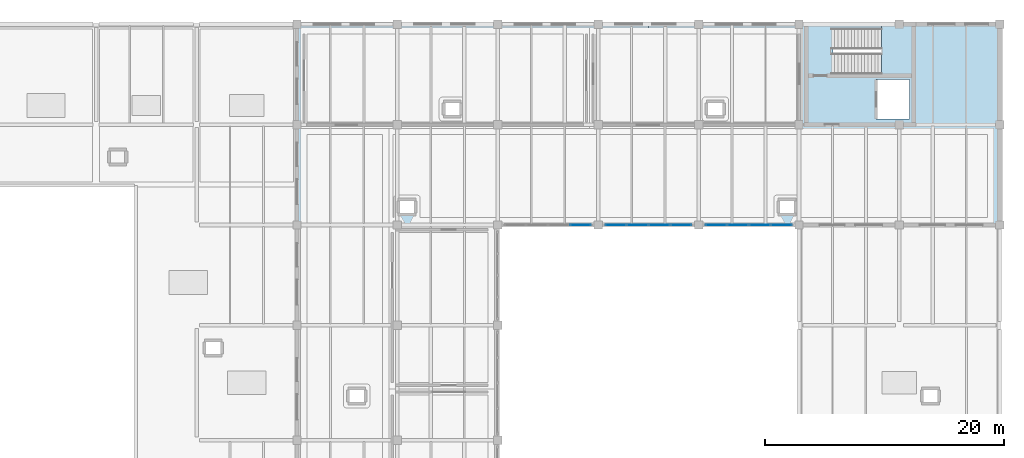
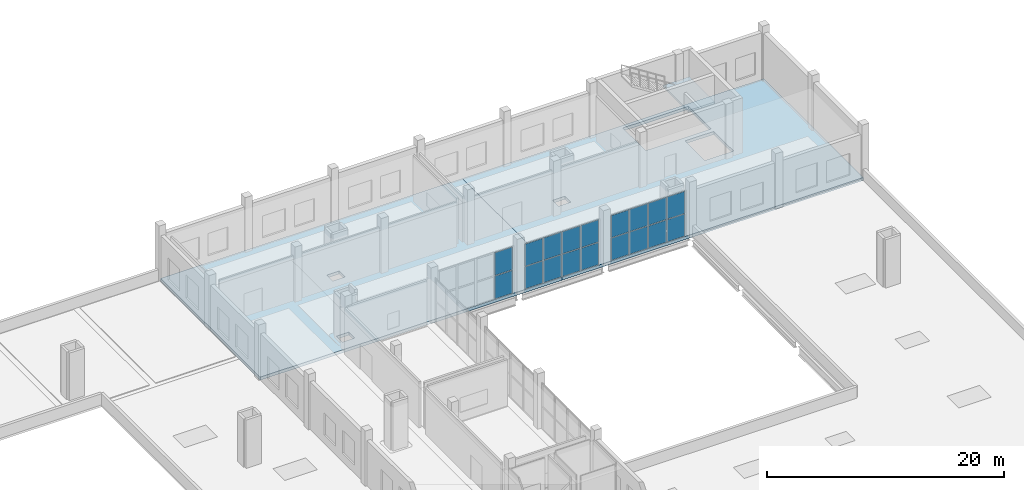
# One storey, part 33 of 49: 18 plates, 3 slabs, 4 elements without a shape of their own.
"""IFC4 building model written with IfcOpenShell, lengths in metres."""

import ifcopenshell
import ifcopenshell.guid

model = None  # the IFC model being written
_history = None  # IfcOwnerHistory: only IFC2X3 demands one
_inside = {}  # id of a spatial element -> (the spatial element, [elements in it])
_under = {}  # id of a project, library or spatial element -> (it, [spatial elements below it])
_declared = {}  # id of a project -> (the project, [libraries it declares])
_typed = {}  # id of a type object -> (the type object, [elements of that type])
_made_of = {}  # id of a material, layer set ... -> (it, [elements and type objects made of it])


def new_model(schema):
    """Start an empty IFC model of exactly this schema.

    Asked for "IFC4X3", IfcOpenShell would pick the latest addendum, in which some entities
    have other attributes; the version numbers below select the first issue.
    IFC2X3 requires an IfcOwnerHistory on every rooted entity: one is made here for all.
    """
    global model, _history
    if schema == "IFC4X3":
        model = ifcopenshell.file(schema_version=(4, 3, 0, 0))
    else:
        model = ifcopenshell.file(schema=schema)
    _inside.clear()
    _under.clear()
    _declared.clear()
    _typed.clear()
    _made_of.clear()
    _history = None
    if model.schema == "IFC2X3":
        org = make("IfcOrganization", Name="unknown")
        user = make(
            "IfcPersonAndOrganization",
            ThePerson=make("IfcPerson", FamilyName="unknown"),
            TheOrganization=org,
        )
        app = make(
            "IfcApplication",
            ApplicationDeveloper=org,
            Version="unknown",
            ApplicationFullName="unknown",
            ApplicationIdentifier="unknown",
        )
        _history = make(
            "IfcOwnerHistory",
            OwningUser=user,
            OwningApplication=app,
            ChangeAction="ADDED",
            CreationDate=0,
        )
    return model


def make(cls, **values):
    """One entity of the class cls with the attributes given. An attribute that is None is left unset."""
    return model.create_entity(
        cls, **{name: value for name, value in values.items() if value is not None}
    )


def rooted(cls, **values):
    """An entity with a GlobalId (a new one), such as an element, a storey or a relation."""
    return make(cls, GlobalId=ifcopenshell.guid.new(), OwnerHistory=_history, **values)


def si_unit(unit_type, name, prefix=None):
    """IfcSIUnit, for example si_unit("LENGTHUNIT", "METRE", prefix="MILLI")."""
    return make("IfcSIUnit", UnitType=unit_type, Prefix=prefix, Name=name)


def assignment(units):
    """IfcUnitAssignment: the units of a project."""
    return None if units is None else make("IfcUnitAssignment", Units=units)


def point(xyz):
    """IfcCartesianPoint."""
    return None if xyz is None else make("IfcCartesianPoint", Coordinates=xyz)


def direction(xyz):
    """IfcDirection."""
    return None if xyz is None else make("IfcDirection", DirectionRatios=xyz)


def frame(location, z_axis=None, x_axis=None):
    """IfcAxis2Placement3D, a coordinate frame: its origin and axes. An axis left out is left unset."""
    return make(
        "IfcAxis2Placement3D",
        Location=point(location),
        Axis=direction(z_axis),
        RefDirection=direction(x_axis),
    )


def frame_2d(location, x_axis=None):
    """IfcAxis2Placement2D, a coordinate frame in the plane: its origin and x axis."""
    return make(
        "IfcAxis2Placement2D", Location=point(location), RefDirection=direction(x_axis)
    )


def origin():
    """The frame at (0, 0, 0) with its axes left unset."""
    return frame((0.0, 0.0, 0.0))


def origin_2d():
    """The frame at (0, 0) in the plane with its x axis left unset."""
    return frame_2d((0.0, 0.0))


def place(relative_to, where):
    """IfcLocalPlacement: puts the frame where relative to a parent placement (None: the world)."""
    return make(
        "IfcLocalPlacement", PlacementRelTo=relative_to, RelativePlacement=where
    )


def context(
    kind, dimensions, precision=None, world=None, true_north=None, identifier=None
):
    """IfcGeometricRepresentationContext, for example the 3D "Model" context."""
    return make(
        "IfcGeometricRepresentationContext",
        ContextIdentifier=identifier,
        ContextType=kind,
        CoordinateSpaceDimension=dimensions,
        Precision=precision,
        WorldCoordinateSystem=world,
        TrueNorth=true_north,
    )


def subcontext(parent, identifier, kind, view, scale=None):
    """IfcGeometricRepresentationSubContext, for example "Body" below "Model"."""
    return make(
        "IfcGeometricRepresentationSubContext",
        ContextIdentifier=identifier,
        ContextType=kind,
        ParentContext=parent,
        TargetScale=scale,
        TargetView=view,
    )


def project(units=None, contexts=None):
    """IfcProject with its units and contexts."""
    return rooted(
        "IfcProject",
        Name="project",
        RepresentationContexts=contexts,
        UnitsInContext=assignment(units),
    )


def spatial(cls, under=None, at=None, **own):
    """A site, building, storey or space (cls), placed at a placement, below another one or the project."""
    s = rooted(cls, ObjectPlacement=at, **own)
    if under is not None:
        _under.setdefault(under.id(), (under, []))[1].append(s)
    return s


def polyline(points):
    """IfcPolyline through the points."""
    return make("IfcPolyline", Points=[point(p) for p in points])


def profile(cls, at=None, kind="AREA", **sizes):
    """A parametric profile (cls). Its sizes go by their IFC names, for example OverallWidth=200.0."""
    return make(cls, ProfileType=kind, Position=at, **sizes)


def rectangle(**sizes):
    """IfcRectangleProfileDef."""
    return profile("IfcRectangleProfileDef", **sizes)


def outline(outer, holes=None, kind="AREA"):
    """IfcArbitraryClosedProfileDef: a profile drawn as a closed curve; with holes, ...WithVoids."""
    if holes is None:
        return make("IfcArbitraryClosedProfileDef", ProfileType=kind, OuterCurve=outer)
    return make(
        "IfcArbitraryProfileDefWithVoids",
        ProfileType=kind,
        OuterCurve=outer,
        InnerCurves=holes,
    )


def extrude(swept, where, along, depth):
    """IfcExtrudedAreaSolid: the profile swept, set in the frame where, extruded along a direction by depth."""
    return make(
        "IfcExtrudedAreaSolid",
        SweptArea=swept,
        Position=where,
        ExtrudedDirection=direction(along),
        Depth=depth,
    )


def shape(context_of_items, identifier, shape_type, items):
    """IfcShapeRepresentation: the items that make up one representation, for example the "Body"."""
    return make(
        "IfcShapeRepresentation",
        ContextOfItems=context_of_items,
        RepresentationIdentifier=identifier,
        RepresentationType=shape_type,
        Items=items,
    )


def material(Name=None, Category=None):
    """IfcMaterial."""
    return make("IfcMaterial", Name=Name, Category=Category)


def layer(
    of_material, thickness, ventilated=None, Name=None, Category=None, Priority=None
):
    """IfcMaterialLayer: one layer of a wall or slab, of a material (None: an air gap)."""
    return make(
        "IfcMaterialLayer",
        Material=of_material,
        LayerThickness=thickness,
        IsVentilated=ventilated,
        Name=Name,
        Category=Category,
        Priority=Priority,
    )


def layer_set(layers, Name=None):
    """IfcMaterialLayerSet."""
    return make("IfcMaterialLayerSet", MaterialLayers=layers, LayerSetName=Name)


def made_of(thing, what):
    """Note that an element or type object is made of a material, layer set ...; save() writes the relation."""
    if what is not None:
        _made_of.setdefault(what.id(), (what, []))[1].append(thing)
    return thing


def type_object(cls, material=None, **own):
    """A type object (cls), such as IfcWallType, which elements share."""
    return made_of(rooted(cls, **own), material)


def element(
    cls,
    number,
    at=None,
    inside=None,
    cuts=None,
    type_object=None,
    material=None,
    context=None,
    identifier="Body",
    shape_type=None,
    held_by="IfcProductDefinitionShape",
    body=None,
    shapes=None,
    **own,
):
    """One element of the class cls, such as IfcWall. Its Tag is "e" and its number.

    at: its placement. inside: the storey or other place that contains it. cuts: it is an
    opening in that element (IfcRelVoidsElement). A single representation is given by context,
    identifier, shape_type and body (its items); several are given by shapes. held_by: the class
    of the entity that holds the representations. save() writes the other relations.
    """
    e = rooted(cls, Tag="e%d" % number, ObjectPlacement=at, **own)
    if body is not None:
        shapes = [shape(context, identifier, shape_type, body)]
    if shapes is not None:
        e.Representation = make(held_by, Representations=shapes)
    if inside is not None:
        _inside.setdefault(inside.id(), (inside, []))[1].append(e)
    if cuts is not None:
        rooted(
            "IfcRelVoidsElement", RelatingBuildingElement=cuts, RelatedOpeningElement=e
        )
    if type_object is not None:
        _typed.setdefault(type_object.id(), (type_object, []))[1].append(e)
    return made_of(e, material)


def aggregate(whole, parts):
    """IfcRelAggregates: a whole, such as a stair, and the parts it consists of."""
    return rooted("IfcRelAggregates", RelatingObject=whole, RelatedObjects=parts)


def save(model, path):
    """Write the relations noted so far, then the file.

    IfcRelAggregates (storeys below a building ...), IfcRelContainedInSpatialStructure (elements
    in a storey), IfcRelDefinesByType, IfcRelAssociatesMaterial and IfcRelDeclares: one each for
    every whole, place, type object, material and project.
    """
    for whole, parts in _under.values():
        aggregate(whole, parts)
    for where, things in _inside.values():
        rooted(
            "IfcRelContainedInSpatialStructure",
            RelatedElements=things,
            RelatingStructure=where,
        )
    for kind, things in _typed.values():
        rooted("IfcRelDefinesByType", RelatedObjects=things, RelatingType=kind)
    for what, things in _made_of.values():
        rooted("IfcRelAssociatesMaterial", RelatedObjects=things, RelatingMaterial=what)
    for by, libraries in _declared.values():
        rooted("IfcRelDeclares", RelatingContext=by, RelatedDefinitions=libraries)
    model.write(path)


model = new_model("IFC4")

# Units and contexts
model_context = context("Model", 3, precision=1e-05, world=origin(), true_north=direction((0.0, 1.0)))
body_context = subcontext(model_context, "Body", "Model", "MODEL_VIEW")
ifc_project = project(units=[si_unit("LENGTHUNIT", "METRE"), si_unit("AREAUNIT", "SQUARE_METRE"), si_unit("VOLUMEUNIT", "CUBIC_METRE"), si_unit("PLANEANGLEUNIT", "RADIAN"), si_unit("MASSUNIT", "GRAM", prefix="KILO")], contexts=[model_context])

# Site, building, storey
site_placement = place(None, origin())
site = spatial("IfcSite", under=ifc_project, at=site_placement, CompositionType="ELEMENT")
building_placement = place(site_placement, origin())
building = spatial("IfcBuilding", under=site, at=building_placement, Name="Zulmaris Art Gallery", CompositionType="ELEMENT")
storey_placement = place(building_placement, frame((0.0, 0.0, 20.699951171875)))
storey = spatial("IfcBuildingStorey", under=building, at=storey_placement, Name="L04", CompositionType="ELEMENT", Elevation=20.699951171875)

# Curtain wall, plates
ifc_material_1 = material(Name="Courtyard Artists Studio Curtain Wall", Category="aluminium")
ifc_layer_1 = layer(ifc_material_1, 0.179931640625)
ifc_layer_set_1 = layer_set([ifc_layer_1], Name="Courtyard Artists Studio Curtain Wall")
curtain_wall_type = type_object("IfcCurtainWallType", Name="CW-CW04", PredefinedType="NOTDEFINED", material=ifc_layer_set_1)
curtain_wall_1_placement = place(storey_placement, origin())
curtain_wall_1 = element("IfcCurtainWall", 1, at=curtain_wall_1_placement, inside=storey, type_object=curtain_wall_type, Name="L04 curtain wall 162", PredefinedType="NOTDEFINED")
ifc_material_2 = material(Name="Triple Solar-Control Laminated Glass", Category="glass")
ifc_layer_2 = layer(ifc_material_2, 0.035888671875)
ifc_layer_set_2 = layer_set([ifc_layer_2], Name="Triple Solar-Control Laminated Glass")
plate_type = type_object("IfcPlateType", Name="CWPAN-GLZ", PredefinedType="CURTAIN_PANEL", material=ifc_layer_set_2)
plate_1_placement = place(storey_placement, frame((165.326171875, 58.800048828125, 0.0751953125), z_axis=(0.0, 0.0, 1.0), x_axis=(-1.0, 0.0, 0.0)))
plate_1 = element("IfcPlate", 2, at=plate_1_placement, type_object=plate_type, Name="CW04 panel 1.1", PredefinedType="CURTAIN_PANEL", context=body_context, shape_type="SweptSolid", body=[
    extrude(rectangle(XDim=1.717529296875, YDim=0.031982421875, at=origin_2d()), origin(), (0.0, 0.0, 1.0), 2.33740234375),
])
plate_2_placement = place(storey_placement, frame((165.326171875, 58.800048828125, 2.487548828125), z_axis=(0.0, 0.0, 1.0), x_axis=(-1.0, 0.0, 0.0)))
plate_2 = element("IfcPlate", 3, at=plate_2_placement, type_object=plate_type, Name="CW04 panel 1.2", PredefinedType="CURTAIN_PANEL", context=body_context, shape_type="SweptSolid", body=[
    extrude(rectangle(XDim=1.717529296875, YDim=0.031982421875, at=origin_2d()), origin(), (0.0, 0.0, 1.0), 2.33740234375),
])
aggregate(curtain_wall_1, [plate_1, plate_2])

curtain_wall_2_placement = place(storey_placement, origin())
curtain_wall_2 = element("IfcCurtainWall", 4, at=curtain_wall_2_placement, inside=storey, type_object=curtain_wall_type, Name="L04 curtain wall 163", PredefinedType="NOTDEFINED")
plate_3_placement = place(storey_placement, frame((173.726318359375, 58.800048828125, 0.074951171875), z_axis=(0.0, 0.0, 1.0), x_axis=(-1.0, 0.0, 0.0)))
plate_3 = element("IfcPlate", 5, at=plate_3_placement, type_object=plate_type, Name="CW04 panel 1.1", PredefinedType="CURTAIN_PANEL", context=body_context, shape_type="SweptSolid", body=[
    extrude(rectangle(XDim=1.717529296875, YDim=0.031982421875, at=origin_2d()), origin(), (0.0, 0.0, 1.0), 2.267578125),
])
plate_4_placement = place(storey_placement, frame((173.726318359375, 58.800048828125, 2.41748046875), z_axis=(0.0, 0.0, 1.0), x_axis=(-1.0, 0.0, 0.0)))
plate_4 = element("IfcPlate", 6, at=plate_4_placement, type_object=plate_type, Name="CW04 panel 1.2", PredefinedType="CURTAIN_PANEL", context=body_context, shape_type="SweptSolid", body=[
    extrude(rectangle(XDim=1.717529296875, YDim=0.031982421875, at=origin_2d()), origin(), (0.0, 0.0, 1.0), 2.267578125),
])
plate_5_placement = place(storey_placement, frame((171.9150390625, 58.800048828125, 0.074951171875), z_axis=(0.0, 0.0, 1.0), x_axis=(-1.0, 0.0, 0.0)))
plate_5 = element("IfcPlate", 7, at=plate_5_placement, type_object=plate_type, Name="CW04 panel 2.1", PredefinedType="CURTAIN_PANEL", context=body_context, shape_type="SweptSolid", body=[
    extrude(rectangle(XDim=1.7548828125, YDim=0.031982421875, at=origin_2d()), origin(), (0.0, 0.0, 1.0), 2.267578125),
])
plate_6_placement = place(storey_placement, frame((171.9150390625, 58.800048828125, 2.41748046875), z_axis=(0.0, 0.0, 1.0), x_axis=(-1.0, 0.0, 0.0)))
plate_6 = element("IfcPlate", 8, at=plate_6_placement, type_object=plate_type, Name="CW04 panel 2.2", PredefinedType="CURTAIN_PANEL", context=body_context, shape_type="SweptSolid", body=[
    extrude(rectangle(XDim=1.7548828125, YDim=0.031982421875, at=origin_2d()), origin(), (0.0, 0.0, 1.0), 2.267578125),
])
plate_7_placement = place(storey_placement, frame((170.0849609375, 58.800048828125, 0.074951171875), z_axis=(0.0, 0.0, 1.0), x_axis=(-1.0, 0.0, 0.0)))
plate_7 = element("IfcPlate", 9, at=plate_7_placement, type_object=plate_type, Name="CW04 panel 3.1", PredefinedType="CURTAIN_PANEL", context=body_context, shape_type="SweptSolid", body=[
    extrude(rectangle(XDim=1.7548828125, YDim=0.031982421875, at=origin_2d()), origin(), (0.0, 0.0, 1.0), 2.267578125),
])
plate_8_placement = place(storey_placement, frame((170.0849609375, 58.800048828125, 2.41748046875), z_axis=(0.0, 0.0, 1.0), x_axis=(-1.0, 0.0, 0.0)))
plate_8 = element("IfcPlate", 10, at=plate_8_placement, type_object=plate_type, Name="CW04 panel 3.2", PredefinedType="CURTAIN_PANEL", context=body_context, shape_type="SweptSolid", body=[
    extrude(rectangle(XDim=1.7548828125, YDim=0.031982421875, at=origin_2d()), origin(), (0.0, 0.0, 1.0), 2.267578125),
])
plate_9_placement = place(storey_placement, frame((168.273681640625, 58.800048828125, 0.074951171875), z_axis=(0.0, 0.0, 1.0), x_axis=(-1.0, 0.0, 0.0)))
plate_9 = element("IfcPlate", 11, at=plate_9_placement, type_object=plate_type, Name="CW04 panel 4.1", PredefinedType="CURTAIN_PANEL", context=body_context, shape_type="SweptSolid", body=[
    extrude(rectangle(XDim=1.717529296875, YDim=0.031982421875, at=origin_2d()), origin(), (0.0, 0.0, 1.0), 2.267578125),
])
plate_10_placement = place(storey_placement, frame((168.273681640625, 58.800048828125, 2.41748046875), z_axis=(0.0, 0.0, 1.0), x_axis=(-1.0, 0.0, 0.0)))
plate_10 = element("IfcPlate", 12, at=plate_10_placement, type_object=plate_type, Name="CW04 panel 4.2", PredefinedType="CURTAIN_PANEL", context=body_context, shape_type="SweptSolid", body=[
    extrude(rectangle(XDim=1.717529296875, YDim=0.031982421875, at=origin_2d()), origin(), (0.0, 0.0, 1.0), 2.267578125),
])
aggregate(curtain_wall_2, [plate_3, plate_4, plate_5, plate_6, plate_7, plate_8, plate_9, plate_10])

curtain_wall_3_placement = place(storey_placement, origin())
curtain_wall_3 = element("IfcCurtainWall", 13, at=curtain_wall_3_placement, inside=storey, type_object=curtain_wall_type, Name="L04 curtain wall 164", PredefinedType="NOTDEFINED")
plate_11_placement = place(storey_placement, frame((182.126220703125, 58.800048828125, 0.074951171875), z_axis=(0.0, 0.0, 1.0), x_axis=(-1.0, 0.0, 0.0)))
plate_11 = element("IfcPlate", 14, at=plate_11_placement, type_object=plate_type, Name="CW04 panel 1.1", PredefinedType="CURTAIN_PANEL", context=body_context, shape_type="SweptSolid", body=[
    extrude(rectangle(XDim=1.717529296875, YDim=0.031982421875, at=origin_2d()), origin(), (0.0, 0.0, 1.0), 2.267578125),
])
plate_12_placement = place(storey_placement, frame((182.126220703125, 58.800048828125, 2.41748046875), z_axis=(0.0, 0.0, 1.0), x_axis=(-1.0, 0.0, 0.0)))
plate_12 = element("IfcPlate", 15, at=plate_12_placement, type_object=plate_type, Name="CW04 panel 1.2", PredefinedType="CURTAIN_PANEL", context=body_context, shape_type="SweptSolid", body=[
    extrude(rectangle(XDim=1.717529296875, YDim=0.031982421875, at=origin_2d()), origin(), (0.0, 0.0, 1.0), 2.267578125),
])
plate_13_placement = place(storey_placement, frame((180.31494140625, 58.800048828125, 0.074951171875), z_axis=(0.0, 0.0, 1.0), x_axis=(-1.0, 0.0, 0.0)))
plate_13 = element("IfcPlate", 16, at=plate_13_placement, type_object=plate_type, Name="CW04 panel 2.1", PredefinedType="CURTAIN_PANEL", context=body_context, shape_type="SweptSolid", body=[
    extrude(rectangle(XDim=1.7548828125, YDim=0.031982421875, at=origin_2d()), origin(), (0.0, 0.0, 1.0), 2.267578125),
])
plate_14_placement = place(storey_placement, frame((180.31494140625, 58.800048828125, 2.41748046875), z_axis=(0.0, 0.0, 1.0), x_axis=(-1.0, 0.0, 0.0)))
plate_14 = element("IfcPlate", 17, at=plate_14_placement, type_object=plate_type, Name="CW04 panel 2.2", PredefinedType="CURTAIN_PANEL", context=body_context, shape_type="SweptSolid", body=[
    extrude(rectangle(XDim=1.7548828125, YDim=0.031982421875, at=origin_2d()), origin(), (0.0, 0.0, 1.0), 2.267578125),
])
plate_15_placement = place(storey_placement, frame((178.485107421875, 58.800048828125, 0.074951171875), z_axis=(0.0, 0.0, 1.0), x_axis=(-1.0, 0.0, 0.0)))
plate_15 = element("IfcPlate", 18, at=plate_15_placement, type_object=plate_type, Name="CW04 panel 3.1", PredefinedType="CURTAIN_PANEL", context=body_context, shape_type="SweptSolid", body=[
    extrude(rectangle(XDim=1.7548828125, YDim=0.031982421875, at=origin_2d()), origin(), (0.0, 0.0, 1.0), 2.267578125),
])
plate_16_placement = place(storey_placement, frame((178.485107421875, 58.800048828125, 2.41748046875), z_axis=(0.0, 0.0, 1.0), x_axis=(-1.0, 0.0, 0.0)))
plate_16 = element("IfcPlate", 19, at=plate_16_placement, type_object=plate_type, Name="CW04 panel 3.2", PredefinedType="CURTAIN_PANEL", context=body_context, shape_type="SweptSolid", body=[
    extrude(rectangle(XDim=1.7548828125, YDim=0.031982421875, at=origin_2d()), origin(), (0.0, 0.0, 1.0), 2.267578125),
])
plate_17_placement = place(storey_placement, frame((176.673828125, 58.800048828125, 0.074951171875), z_axis=(0.0, 0.0, 1.0), x_axis=(-1.0, 0.0, 0.0)))
plate_17 = element("IfcPlate", 20, at=plate_17_placement, type_object=plate_type, Name="CW04 panel 4.1", PredefinedType="CURTAIN_PANEL", context=body_context, shape_type="SweptSolid", body=[
    extrude(rectangle(XDim=1.717529296875, YDim=0.031982421875, at=origin_2d()), origin(), (0.0, 0.0, 1.0), 2.267578125),
])
plate_18_placement = place(storey_placement, frame((176.673828125, 58.800048828125, 2.41748046875), z_axis=(0.0, 0.0, 1.0), x_axis=(-1.0, 0.0, 0.0)))
plate_18 = element("IfcPlate", 21, at=plate_18_placement, type_object=plate_type, Name="CW04 panel 4.2", PredefinedType="CURTAIN_PANEL", context=body_context, shape_type="SweptSolid", body=[
    extrude(rectangle(XDim=1.717529296875, YDim=0.031982421875, at=origin_2d()), origin(), (0.0, 0.0, 1.0), 2.267578125),
])
aggregate(curtain_wall_3, [plate_11, plate_12, plate_13, plate_14, plate_15, plate_16, plate_17, plate_18])

# Slabs
ifc_material_3 = material(Name="Concrete C40/50", Category="concrete")
ifc_layer_3 = layer(ifc_material_3, 0.31005859375)
ifc_layer_set_3 = layer_set([ifc_layer_3], Name="Concrete C40/50")
slab_type_1 = type_object("IfcSlabType", Name="SLAB-SL-FL03", PredefinedType="FLOOR", material=ifc_layer_set_3)
slab_1_placement = place(storey_placement, frame((0.0, 0.0, -0.31005859375)))
element("IfcSlab", 22, at=slab_1_placement, inside=storey, type_object=slab_type_1, Name="L04 V5-NW slab", PredefinedType="FLOOR", context=body_context, shape_type="SweptSolid", body=[
    extrude(outline(polyline([(171.0, 75.60009765625), (171.0, 58.800048828125), (158.39990234375, 58.800048828125), (141.60009765625, 58.800048828125), (141.60009765625, 75.60009765625), (171.0, 75.60009765625)]), holes=[polyline([(150.199951171875, 59.800048828125), (151.39990234375, 59.800048828125), (151.39990234375, 60.800048828125), (150.199951171875, 60.800048828125), (150.199951171875, 59.800048828125)]), polyline([(154.0, 68.0), (155.199951171875, 68.0), (155.199951171875, 69.0), (154.0, 69.0), (154.0, 68.0)])]), origin(), (0.0, 0.0, 1.0), 0.31005859375),
])
slab_2_placement = place(storey_placement, frame((0.0, 0.0, -0.31005859375)))
element("IfcSlab", 23, at=slab_2_placement, inside=storey, type_object=slab_type_1, Name="L04 V5-NE slab", PredefinedType="FLOOR", context=body_context, shape_type="SweptSolid", body=[
    extrude(outline(polyline([(200.39990234375, 58.800048828125), (183.60009765625, 58.800048828125), (171.0, 58.800048828125), (171.0, 75.60009765625), (200.39990234375, 75.60009765625), (200.39990234375, 58.800048828125)]), holes=[polyline([(182.0, 59.800048828125), (183.199951171875, 59.800048828125), (183.199951171875, 60.800048828125), (182.0, 60.800048828125), (182.0, 59.800048828125)]), polyline([(177.199951171875, 68.0), (177.199951171875, 69.0), (176.0, 69.0), (176.0, 68.0), (177.199951171875, 68.0)]), polyline([(190.050048828125, 67.64990234375), (192.85009765625, 67.64990234375), (192.85009765625, 70.97998046875), (190.050048828125, 70.97998046875), (190.050048828125, 67.64990234375)]), polyline([(186.4599609375, 75.25), (186.4599609375, 71.409912109375), (192.85009765625, 71.409912109375), (192.85009765625, 75.25), (186.4599609375, 75.25)])]), origin(), (0.0, 0.0, 1.0), 0.31005859375),
])

# Stair, slab
stair_type = type_object("IfcStairType", Name="STAIR-CORE", PredefinedType="HALF_TURN_STAIR", material=ifc_material_3)
stair_placement = place(storey_placement, origin())
stair = element("IfcStair", 24, at=stair_placement, inside=storey, type_object=stair_type, Name="L04 Exit Stair ST4", PredefinedType="HALF_TURN_STAIR")
ifc_layer_4 = layer(ifc_material_3, 0.2099609375)
ifc_layer_set_4 = layer_set([ifc_layer_4], Name="Concrete C40/50")
slab_type_2 = type_object("IfcSlabType", Name="SLAB-STLND", PredefinedType="LANDING", material=ifc_layer_set_4)
slab_3_placement = place(storey_placement, frame((0.0, 0.0, 2.650146484375)))
slab_3 = element("IfcSlab", 25, at=slab_3_placement, type_object=slab_type_2, Name="ST4 landing 1", PredefinedType="LANDING", context=body_context, shape_type="SweptSolid", body=[
    extrude(outline(polyline([(190.5, 71.18994140625), (193.050048828125, 71.18994140625), (193.050048828125, 75.469970703125), (190.5, 75.469970703125), (190.5, 71.18994140625)])), origin(), (0.0, 0.0, 1.0), 0.199951171875),
])
aggregate(stair, [slab_3])

save(model, "model.ifc")
